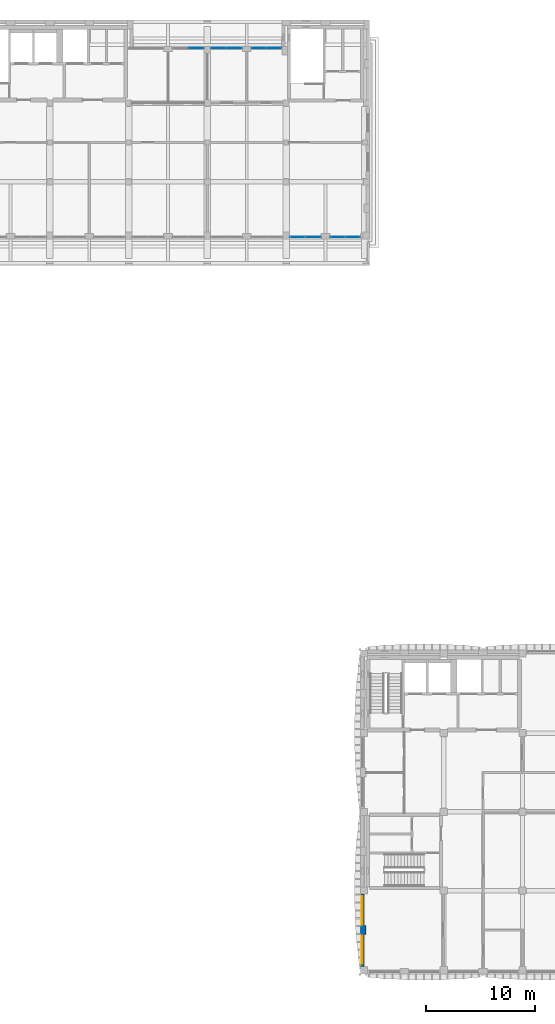
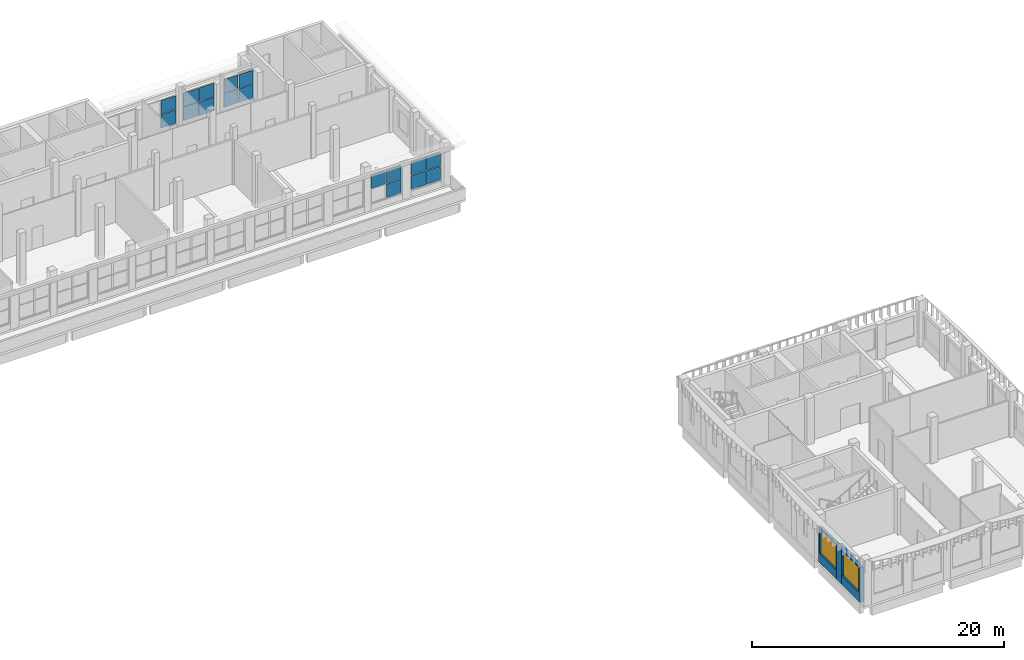
# One storey, part 13 of 30: 17 plates, 3 walls, 2 windows, 2 openings, 5 elements without a shape of their own.
"""IFC4 building model written with IfcOpenShell, lengths in metres."""

from ifc_helpers import new_model, si_unit, direction, frame, frame_2d, origin, origin_2d, place, context, subcontext, project, spatial, rectangle, extrude, material, layer, layer_set, type_object, element, fill, aggregate, save


model = new_model("IFC4")

# Units and contexts
model_context = context("Model", 3, precision=1e-05, world=origin(), true_north=direction((0.0, 1.0)))
body_context = subcontext(model_context, "Body", "Model", "MODEL_VIEW")
ifc_project = project(units=[si_unit("LENGTHUNIT", "METRE"), si_unit("AREAUNIT", "SQUARE_METRE"), si_unit("VOLUMEUNIT", "CUBIC_METRE"), si_unit("PLANEANGLEUNIT", "RADIAN"), si_unit("MASSUNIT", "GRAM", prefix="KILO")], contexts=[model_context])

# Site, building, storey
site_placement = place(None, origin())
site = spatial("IfcSite", under=ifc_project, at=site_placement, CompositionType="ELEMENT")
building_placement = place(site_placement, origin())
building = spatial("IfcBuilding", under=site, at=building_placement, Name="Ussher Court Research Institute", CompositionType="ELEMENT")
storey_placement = place(building_placement, frame((0.0, 0.0, 27.89990234375)))
storey = spatial("IfcBuildingStorey", under=building, at=storey_placement, Name="L06", CompositionType="ELEMENT", Elevation=27.89990234375)

# Curtain wall, plates
ifc_material_1 = material(Name="Bronze anodised aluminium with insulated low-e glass", Category="aluminium")
ifc_layer_1 = layer(ifc_material_1, 0.1201171875)
ifc_layer_set_1 = layer_set([ifc_layer_1], Name="Bronze anodised aluminium with insulated low-e glass")
curtain_wall_type = type_object("IfcCurtainWallType", Name="Curtain wall attic gallery glazing", PredefinedType="NOTDEFINED", material=ifc_layer_set_1)
curtain_wall_1_placement = place(storey_placement, origin())
curtain_wall_1 = element("IfcCurtainWall", 1, at=curtain_wall_1_placement, inside=storey, type_object=curtain_wall_type, Name="Curtain wall CW11 L06", PredefinedType="NOTDEFINED")
ifc_material_2 = material(Name="Insulated glazed unit low-e")
ifc_layer_2 = layer(ifc_material_2, 0.06005859375)
ifc_layer_set_2 = layer_set([ifc_layer_2], Name="Insulated glazed unit low-e")
plate_type = type_object("IfcPlateType", Name="Insulated glazing panel 60 mm", PredefinedType="CURTAIN_PANEL", material=ifc_layer_set_2)
plate_1_placement = place(storey_placement, frame((81.0849609375, 70.949951171875, 0.66015625), z_axis=(0.0, 0.0, 1.0), x_axis=(-1.0, 0.0, 0.0)))
plate_1 = element("IfcPlate", 2, at=plate_1_placement, type_object=plate_type, Name="CW11 panel 1.1", PredefinedType="CURTAIN_PANEL", context=body_context, shape_type="SweptSolid", body=[
    extrude(rectangle(XDim=1.31005859375, YDim=0.06005859375, at=origin_2d()), origin(), (0.0, 0.0, 1.0), 1.31005859375),
])
plate_2_placement = place(storey_placement, frame((81.0849609375, 70.949951171875, 2.030029296875), z_axis=(0.0, 0.0, 1.0), x_axis=(-1.0, 0.0, 0.0)))
plate_2 = element("IfcPlate", 3, at=plate_2_placement, type_object=plate_type, Name="CW11 panel 1.2", PredefinedType="CURTAIN_PANEL", context=body_context, shape_type="SweptSolid", body=[
    extrude(rectangle(XDim=1.31005859375, YDim=0.06005859375, at=origin_2d()), origin(), (0.0, 0.0, 1.0), 1.31005859375),
])
plate_3_placement = place(storey_placement, frame((79.715087890625, 70.949951171875, 0.66015625), z_axis=(0.0, 0.0, 1.0), x_axis=(-1.0, 0.0, 0.0)))
plate_3 = element("IfcPlate", 4, at=plate_3_placement, type_object=plate_type, Name="CW11 panel 2.1", PredefinedType="CURTAIN_PANEL", context=body_context, shape_type="SweptSolid", body=[
    extrude(rectangle(XDim=1.31005859375, YDim=0.06005859375, at=origin_2d()), origin(), (0.0, 0.0, 1.0), 1.31005859375),
])
plate_4_placement = place(storey_placement, frame((79.715087890625, 70.949951171875, 2.030029296875), z_axis=(0.0, 0.0, 1.0), x_axis=(-1.0, 0.0, 0.0)))
plate_4 = element("IfcPlate", 5, at=plate_4_placement, type_object=plate_type, Name="CW11 panel 2.2", PredefinedType="CURTAIN_PANEL", context=body_context, shape_type="SweptSolid", body=[
    extrude(rectangle(XDim=1.31005859375, YDim=0.06005859375, at=origin_2d()), origin(), (0.0, 0.0, 1.0), 1.31005859375),
])
aggregate(curtain_wall_1, [plate_1, plate_2, plate_3, plate_4])

curtain_wall_2_placement = place(storey_placement, origin())
curtain_wall_2 = element("IfcCurtainWall", 6, at=curtain_wall_2_placement, inside=storey, type_object=curtain_wall_type, Name="Curtain wall CW11 L06", PredefinedType="NOTDEFINED")
plate_5_placement = place(storey_placement, frame((77.4599609375, 70.949951171875, 0.66015625), z_axis=(0.0, 0.0, 1.0), x_axis=(-1.0, 0.0, 0.0)))
plate_5 = element("IfcPlate", 7, at=plate_5_placement, type_object=plate_type, Name="CW11 panel 1.1", PredefinedType="CURTAIN_PANEL", context=body_context, shape_type="SweptSolid", body=[
    extrude(rectangle(XDim=1.360107421875, YDim=0.06005859375, at=origin_2d()), origin(), (0.0, 0.0, 1.0), 1.31005859375),
])
plate_6_placement = place(storey_placement, frame((77.4599609375, 70.949951171875, 2.030029296875), z_axis=(0.0, 0.0, 1.0), x_axis=(-1.0, 0.0, 0.0)))
plate_6 = element("IfcPlate", 8, at=plate_6_placement, type_object=plate_type, Name="CW11 panel 1.2", PredefinedType="CURTAIN_PANEL", context=body_context, shape_type="SweptSolid", body=[
    extrude(rectangle(XDim=1.360107421875, YDim=0.06005859375, at=origin_2d()), origin(), (0.0, 0.0, 1.0), 1.31005859375),
])
plate_7_placement = place(storey_placement, frame((76.0400390625, 70.949951171875, 2.030029296875), z_axis=(0.0, 0.0, 1.0), x_axis=(-1.0, 0.0, 0.0)))
plate_7 = element("IfcPlate", 9, at=plate_7_placement, type_object=plate_type, Name="CW11 panel 2.2", PredefinedType="CURTAIN_PANEL", context=body_context, shape_type="SweptSolid", body=[
    extrude(rectangle(XDim=1.360107421875, YDim=0.06005859375, at=origin_2d()), origin(), (0.0, 0.0, 1.0), 1.31005859375),
])
aggregate(curtain_wall_2, [plate_5, plate_6, plate_7])

curtain_wall_3_placement = place(storey_placement, origin())
curtain_wall_3 = element("IfcCurtainWall", 10, at=curtain_wall_3_placement, inside=storey, type_object=curtain_wall_type, Name="Curtain wall CW11 L06", PredefinedType="NOTDEFINED")
plate_8_placement = place(storey_placement, frame((66.760009765625, 88.25, 0.66015625), z_axis=(0.0, 0.0, 1.0), x_axis=(1.0, 0.0, 0.0)))
plate_8 = element("IfcPlate", 11, at=plate_8_placement, type_object=plate_type, Name="CW11 panel 2.1", PredefinedType="CURTAIN_PANEL", context=body_context, shape_type="SweptSolid", body=[
    extrude(rectangle(XDim=1.360107421875, YDim=0.06005859375, at=origin_2d()), origin(), (0.0, 0.0, 1.0), 1.31005859375),
])
plate_9_placement = place(storey_placement, frame((66.760009765625, 88.25, 2.030029296875), z_axis=(0.0, 0.0, 1.0), x_axis=(1.0, 0.0, 0.0)))
plate_9 = element("IfcPlate", 12, at=plate_9_placement, type_object=plate_type, Name="CW11 panel 2.2", PredefinedType="CURTAIN_PANEL", context=body_context, shape_type="SweptSolid", body=[
    extrude(rectangle(XDim=1.360107421875, YDim=0.06005859375, at=origin_2d()), origin(), (0.0, 0.0, 1.0), 1.31005859375),
])
aggregate(curtain_wall_3, [plate_8, plate_9])

curtain_wall_4_placement = place(storey_placement, origin())
curtain_wall_4 = element("IfcCurtainWall", 13, at=curtain_wall_4_placement, inside=storey, type_object=curtain_wall_type, Name="Curtain wall CW11 L06", PredefinedType="NOTDEFINED")
plate_10_placement = place(storey_placement, frame((68.840087890625, 88.25, 0.66015625), z_axis=(0.0, 0.0, 1.0), x_axis=(1.0, 0.0, 0.0)))
plate_10 = element("IfcPlate", 14, at=plate_10_placement, type_object=plate_type, Name="CW11 panel 1.1", PredefinedType="CURTAIN_PANEL", context=body_context, shape_type="SweptSolid", body=[
    extrude(rectangle(XDim=1.360107421875, YDim=0.06005859375, at=origin_2d()), origin(), (0.0, 0.0, 1.0), 1.31005859375),
])
plate_11_placement = place(storey_placement, frame((68.840087890625, 88.25, 2.030029296875), z_axis=(0.0, 0.0, 1.0), x_axis=(1.0, 0.0, 0.0)))
plate_11 = element("IfcPlate", 15, at=plate_11_placement, type_object=plate_type, Name="CW11 panel 1.2", PredefinedType="CURTAIN_PANEL", context=body_context, shape_type="SweptSolid", body=[
    extrude(rectangle(XDim=1.360107421875, YDim=0.06005859375, at=origin_2d()), origin(), (0.0, 0.0, 1.0), 1.31005859375),
])
plate_12_placement = place(storey_placement, frame((70.260009765625, 88.25, 0.66015625), z_axis=(0.0, 0.0, 1.0), x_axis=(1.0, 0.0, 0.0)))
plate_12 = element("IfcPlate", 16, at=plate_12_placement, type_object=plate_type, Name="CW11 panel 2.1", PredefinedType="CURTAIN_PANEL", context=body_context, shape_type="SweptSolid", body=[
    extrude(rectangle(XDim=1.360107421875, YDim=0.06005859375, at=origin_2d()), origin(), (0.0, 0.0, 1.0), 1.31005859375),
])
plate_13_placement = place(storey_placement, frame((70.260009765625, 88.25, 2.030029296875), z_axis=(0.0, 0.0, 1.0), x_axis=(1.0, 0.0, 0.0)))
plate_13 = element("IfcPlate", 17, at=plate_13_placement, type_object=plate_type, Name="CW11 panel 2.2", PredefinedType="CURTAIN_PANEL", context=body_context, shape_type="SweptSolid", body=[
    extrude(rectangle(XDim=1.360107421875, YDim=0.06005859375, at=origin_2d()), origin(), (0.0, 0.0, 1.0), 1.31005859375),
])
aggregate(curtain_wall_4, [plate_10, plate_11, plate_12, plate_13])

curtain_wall_5_placement = place(storey_placement, origin())
curtain_wall_5 = element("IfcCurtainWall", 18, at=curtain_wall_5_placement, inside=storey, type_object=curtain_wall_type, Name="Curtain wall CW11 L06", PredefinedType="NOTDEFINED")
plate_14_placement = place(storey_placement, frame((72.514892578125, 88.25, 0.66015625), z_axis=(0.0, 0.0, 1.0), x_axis=(1.0, 0.0, 0.0)))
plate_14 = element("IfcPlate", 19, at=plate_14_placement, type_object=plate_type, Name="CW11 panel 1.1", PredefinedType="CURTAIN_PANEL", context=body_context, shape_type="SweptSolid", body=[
    extrude(rectangle(XDim=1.31005859375, YDim=0.06005859375, at=origin_2d()), origin(), (0.0, 0.0, 1.0), 1.31005859375),
])
plate_15_placement = place(storey_placement, frame((72.514892578125, 88.25, 2.030029296875), z_axis=(0.0, 0.0, 1.0), x_axis=(1.0, 0.0, 0.0)))
plate_15 = element("IfcPlate", 20, at=plate_15_placement, type_object=plate_type, Name="CW11 panel 1.2", PredefinedType="CURTAIN_PANEL", context=body_context, shape_type="SweptSolid", body=[
    extrude(rectangle(XDim=1.31005859375, YDim=0.06005859375, at=origin_2d()), origin(), (0.0, 0.0, 1.0), 1.31005859375),
])
plate_16_placement = place(storey_placement, frame((73.885009765625, 88.25, 0.66015625), z_axis=(0.0, 0.0, 1.0), x_axis=(1.0, 0.0, 0.0)))
plate_16 = element("IfcPlate", 21, at=plate_16_placement, type_object=plate_type, Name="CW11 panel 2.1", PredefinedType="CURTAIN_PANEL", context=body_context, shape_type="SweptSolid", body=[
    extrude(rectangle(XDim=1.31005859375, YDim=0.06005859375, at=origin_2d()), origin(), (0.0, 0.0, 1.0), 1.31005859375),
])
plate_17_placement = place(storey_placement, frame((73.885009765625, 88.25, 2.030029296875), z_axis=(0.0, 0.0, 1.0), x_axis=(1.0, 0.0, 0.0)))
plate_17 = element("IfcPlate", 22, at=plate_17_placement, type_object=plate_type, Name="CW11 panel 2.2", PredefinedType="CURTAIN_PANEL", context=body_context, shape_type="SweptSolid", body=[
    extrude(rectangle(XDim=1.31005859375, YDim=0.06005859375, at=origin_2d()), origin(), (0.0, 0.0, 1.0), 1.31005859375),
])
aggregate(curtain_wall_5, [plate_14, plate_15, plate_16, plate_17])

# Wall, opening, window
ifc_material_3 = material(Name="Blockwork with cream render", Category="masonry")
ifc_layer_3 = layer(ifc_material_3, 0.300048828125)
ifc_layer_set_3 = layer_set([ifc_layer_3], Name="Blockwork with cream render")
wall_type_1 = type_object("IfcWallType", Name="External wall 300 cream render", PredefinedType="SOLIDWALL", material=ifc_layer_set_3)
wall_1_placement = place(storey_placement, frame((81.949951171875, 4.25, 0.0), z_axis=(0.0, 0.0, 1.0), x_axis=(0.0, 1.0, 0.0)))
wall_1 = element("IfcWall", 23, at=wall_1_placement, inside=storey, type_object=wall_type_1, Name="External wall EW1 L06", PredefinedType="SOLIDWALL", context=body_context, shape_type="SweptSolid", body=[
    extrude(rectangle(XDim=2.949951171875, YDim=0.300048828125, at=frame_2d((1.47509765625, 0.0))), origin(), (0.0, 0.0, 1.0), 3.400146484375),
])
opening_1_placement = place(wall_1_placement, frame((0.25, 0.0, 0.89990234375)))
opening_1 = element("IfcOpeningElement", 24, at=opening_1_placement, cuts=wall_1, Name="Opening W01", PredefinedType="OPENING", context=body_context, shape_type="SweptSolid", body=[
    extrude(rectangle(XDim=2.60009765625, YDim=2.39990234375, at=frame_2d((1.300048828125, 1.199951171875))), frame((0.0, 0.16015625, 0.0), z_axis=(0.0, -1.0, 0.0), x_axis=(1.0, 0.0, 0.0)), (0.0, 0.0, 1.0), 0.320068359375),
])
ifc_material_4 = material(Name="Bronze anodised aluminium with double glazing", Category="aluminium")
window_type = type_object("IfcWindowType", Name="Laboratory bay window 2600x2400", PartitioningType="DOUBLE_PANEL_VERTICAL", PredefinedType="WINDOW", material=ifc_material_4)
window_1_placement = place(opening_1_placement, origin())
window_1 = element("IfcWindow", 25, at=window_1_placement, inside=storey, type_object=window_type, Name="Window W01 L06", OverallHeight=2.39990234375, OverallWidth=2.60009765625, PartitioningType="SINGLE_PANEL", PredefinedType="WINDOW", context=body_context, shape_type="SweptSolid", body=[
    extrude(rectangle(XDim=2.60009765625, YDim=2.39990234375, at=frame_2d((1.300048828125, 1.199951171875))), frame((0.0, 0.030029296875, 0.0), z_axis=(0.0, -1.0, 0.0), x_axis=(1.0, 0.0, 0.0)), (0.0, 0.0, 1.0), 0.06005859375),
])
fill(opening_1, window_1)

wall_2_placement = place(storey_placement, frame((81.949951171875, 8.0, 0.0), z_axis=(0.0, 0.0, 1.0), x_axis=(0.0, 1.0, 0.0)))
wall_2 = element("IfcWall", 26, at=wall_2_placement, inside=storey, type_object=wall_type_1, Name="External wall EW1 L06", PredefinedType="SOLIDWALL", context=body_context, shape_type="SweptSolid", body=[
    extrude(rectangle(XDim=2.875, YDim=0.300048828125, at=frame_2d((1.4375, 0.0))), origin(), (0.0, 0.0, 1.0), 3.400146484375),
])
opening_2_placement = place(wall_2_placement, frame((0.10009765625, 0.0, 0.89990234375)))
opening_2 = element("IfcOpeningElement", 27, at=opening_2_placement, cuts=wall_2, Name="Opening W01", PredefinedType="OPENING", context=body_context, shape_type="SweptSolid", body=[
    extrude(rectangle(XDim=2.60009765625, YDim=2.39990234375, at=frame_2d((1.300048828125, 1.199951171875))), frame((0.0, 0.16015625, 0.0), z_axis=(0.0, -1.0, 0.0), x_axis=(1.0, 0.0, 0.0)), (0.0, 0.0, 1.0), 0.320068359375),
])
window_2_placement = place(opening_2_placement, origin())
window_2 = element("IfcWindow", 28, at=window_2_placement, inside=storey, type_object=window_type, Name="Window W01 L06", OverallHeight=2.39990234375, OverallWidth=2.60009765625, PartitioningType="SINGLE_PANEL", PredefinedType="WINDOW", context=body_context, shape_type="SweptSolid", body=[
    extrude(rectangle(XDim=2.60009765625, YDim=2.39990234375, at=frame_2d((1.300048828125, 1.199951171875))), frame((0.0, 0.030029296875, 0.0), z_axis=(0.0, -1.0, 0.0), x_axis=(1.0, 0.0, 0.0)), (0.0, 0.0, 1.0), 0.06005859375),
])
fill(opening_2, window_2)

# Wall
ifc_material_5 = material(Name="Blockwork with cream render", Category="masonry")
ifc_layer_4 = layer(ifc_material_5, 0.5)
ifc_layer_set_4 = layer_set([ifc_layer_4], Name="Blockwork with cream render")
wall_type_2 = type_object("IfcWallType", Name="Pier 800x500 cream render", PredefinedType="SOLIDWALL", material=ifc_layer_set_4)
wall_3_placement = place(storey_placement, frame((82.050048828125, 7.199951171875, 0.0), z_axis=(0.0, 0.0, 1.0), x_axis=(0.0, 1.0, 0.0)))
element("IfcWall", 29, at=wall_3_placement, inside=storey, type_object=wall_type_2, Name="Pier PR1 L06", PredefinedType="SOLIDWALL", context=body_context, shape_type="SweptSolid", body=[
    extrude(rectangle(XDim=0.800048828125, YDim=0.5, at=frame_2d((0.39990234375, 0.0))), origin(), (0.0, 0.0, 1.0), 3.400146484375),
])

save(model, "model.ifc")
